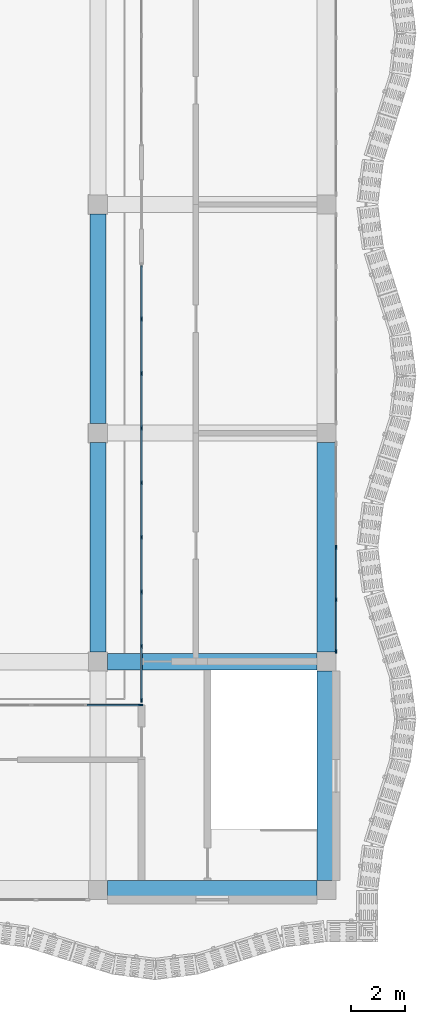
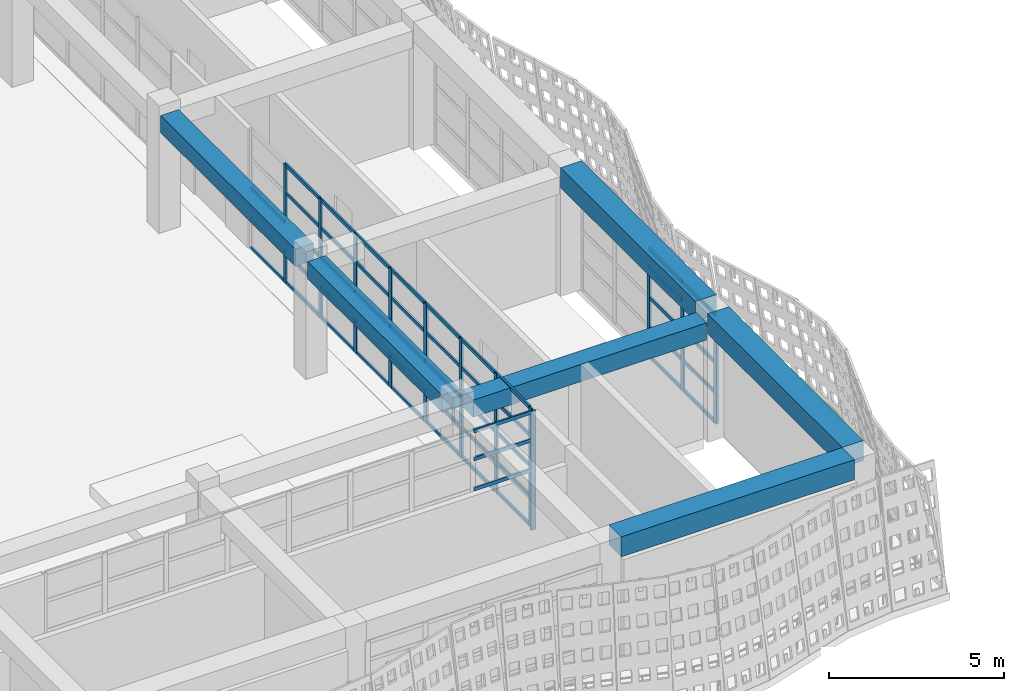
# One storey, part 7 of 85: 63 members, 6 beams, 3 elements without a shape of their own.
"""IFC4 building model written with IfcOpenShell, lengths in metres."""

from ifc_helpers import new_model, si_unit, direction, frame, origin, origin_2d, place, context, subcontext, project, spatial, rectangle, extrude, material, material_profile, profile_set, type_object, element, aggregate, save


model = new_model("IFC4")

# Units and contexts
model_context = context("Model", 3, precision=1e-05, world=origin(), true_north=direction((0.0, 1.0)))
body_context = subcontext(model_context, "Body", "Model", "MODEL_VIEW")
ifc_project = project(units=[si_unit("LENGTHUNIT", "METRE"), si_unit("AREAUNIT", "SQUARE_METRE"), si_unit("VOLUMEUNIT", "CUBIC_METRE"), si_unit("PLANEANGLEUNIT", "RADIAN"), si_unit("MASSUNIT", "GRAM", prefix="KILO")], contexts=[model_context])

# Site, building, storey
site_placement = place(None, origin())
site = spatial("IfcSite", under=ifc_project, at=site_placement, CompositionType="ELEMENT")
building_placement = place(site_placement, origin())
building = spatial("IfcBuilding", under=site, at=building_placement, Name="Rain Tree Exposition and Congress Centre", CompositionType="ELEMENT")
storey_placement = place(building_placement, frame((0.0, 0.0, 15.0)))
storey = spatial("IfcBuildingStorey", under=building, at=storey_placement, Name="L03", CompositionType="ELEMENT", Elevation=15.0)

# Beams
ifc_material_1 = material(Name="Precast concrete C50/60", Category="concrete")
ifc_material_profile_1 = material_profile(ifc_material_1, rectangle(XDim=0.60009765625, YDim=0.60009765625, at=origin_2d()), Name="RC 600x600")
ifc_profile_set_1 = profile_set([ifc_material_profile_1], Name="Precast concrete C50/60")
beam_type_1 = type_object("IfcBeamType", Name="Precast beam 600x600", PredefinedType="BEAM", material=ifc_profile_set_1)
for number, where, z_axis, x_axis, name in (
    (1, (42.35009765625, 8.39990234375, 3.85009765625), (1.0, 0.0, 0.0), (0.0, 1.0, 0.0), "wing/beam/L03/RF/023"),
    (2, (42.0, 8.75, 3.85009765625), (0.0, 1.0, 0.0), (-1.0, 0.0, 0.0), "wing/beam/L03/RF/052"),
):
    element("IfcBeam", number, at=place(storey_placement, frame(where, z_axis=z_axis, x_axis=x_axis)), inside=storey, type_object=beam_type_1, Name=name, PredefinedType="BEAM", context=body_context, shape_type="SweptSolid", body=[
        extrude(rectangle(XDim=0.60009765625, YDim=0.60009765625, at=origin_2d()), origin(), (0.0, 0.0, 1.0), 7.699951171875),
    ])
beam_placement = place(storey_placement, frame((42.0, 17.14990234375, 3.85009765625), z_axis=(0.0, 1.0, 0.0), x_axis=(-1.0, 0.0, 0.0)))
element("IfcBeam", 3, at=beam_placement, inside=storey, type_object=beam_type_1, Name="wing/beam/L03/RF/054", PredefinedType="BEAM", context=body_context, shape_type="SweptSolid", body=[
    extrude(rectangle(XDim=0.60009765625, YDim=0.60009765625, at=origin_2d()), origin(), (0.0, 0.0, 1.0), 7.7001953125),
])
ifc_material_2 = material(Name="Precast concrete C50/60", Category="concrete")
ifc_material_profile_2 = material_profile(ifc_material_2, rectangle(XDim=0.699951171875, YDim=0.699951171875, at=origin_2d()), Name="RC 700x700")
ifc_profile_set_2 = profile_set([ifc_material_profile_2], Name="Precast concrete C50/60")
beam_type_2 = type_object("IfcBeamType", Name="Precast spandrel beam 700x700", PredefinedType="SPANDREL", material=ifc_profile_set_2)
for number, where, z_axis, x_axis, name in (
    (4, (42.35009765625, 0.0, 4.14990234375), (1.0, 0.0, 0.0), (0.0, 1.0, 0.0), "wing/beam/L03/RF/011"),
    (5, (50.39990234375, 0.35009765625, 4.14990234375), (0.0, 1.0, 0.0), (-1.0, 0.0, 0.0), "wing/beam/L03/RF/062"),
    (6, (50.39990234375, 8.75, 4.14990234375), (0.0, 1.0, 0.0), (-1.0, 0.0, 0.0), "wing/beam/L03/RF/064"),
):
    element("IfcBeam", number, at=place(storey_placement, frame(where, z_axis=z_axis, x_axis=x_axis)), inside=storey, type_object=beam_type_2, Name=name, PredefinedType="SPANDREL", context=body_context, shape_type="SweptSolid", body=[
        extrude(rectangle(XDim=0.699951171875, YDim=0.699951171875, at=origin_2d()), origin(), (0.0, 0.0, 1.0), 7.699951171875),
    ])

# Curtain wall, members
ifc_material_3 = material(Name="Aluminium curtain wall", Category="aluminium")
curtain_wall_type = type_object("IfcCurtainWallType", Name="Wing curtain wall 1925", PredefinedType="NOTDEFINED", material=ifc_material_3)
curtain_wall_1_placement = place(storey_placement, origin())
curtain_wall_1 = element("IfcCurtainWall", 7, at=curtain_wall_1_placement, inside=storey, type_object=curtain_wall_type, Name="Curtain wall CWW412", PredefinedType="NOTDEFINED")
ifc_material_4 = material(Name="Aluminium", Category="aluminium")
ifc_material_profile_3 = material_profile(ifc_material_4, rectangle(XDim=0.06005859375, YDim=0.159912109375, at=origin_2d()), Name="Aluminium 60x160")
ifc_profile_set_3 = profile_set([ifc_material_profile_3], Name="Aluminium")
member_type_1 = type_object("IfcMemberType", Name="Wing mullion 60x160", PredefinedType="MULLION", material=ifc_profile_set_3)
member_1_placement = place(storey_placement, frame((50.75, 8.780029296875, 0.0), z_axis=(0.0, 0.0, 1.0), x_axis=(-1.0, 0.0, 0.0)))
member_1 = element("IfcMember", 8, at=member_1_placement, type_object=member_type_1, Name="CWW412 mullion 1", PredefinedType="MULLION", context=body_context, shape_type="SweptSolid", body=[
    extrude(rectangle(XDim=0.06005859375, YDim=0.159912109375, at=origin_2d()), origin(), (0.0, 0.0, 1.0), 3.800048828125),
])
member_2_placement = place(storey_placement, frame((50.75, 10.675048828125, 0.0), z_axis=(0.0, 0.0, 1.0), x_axis=(-1.0, 0.0, 0.0)))
member_2 = element("IfcMember", 9, at=member_2_placement, type_object=member_type_1, Name="CWW412 mullion 2", PredefinedType="MULLION", context=body_context, shape_type="SweptSolid", body=[
    extrude(rectangle(XDim=0.06005859375, YDim=0.159912109375, at=origin_2d()), origin(), (0.0, 0.0, 1.0), 3.800048828125),
])
member_3_placement = place(storey_placement, frame((50.75, 12.60009765625, 0.0), z_axis=(0.0, 0.0, 1.0), x_axis=(-1.0, 0.0, 0.0)))
member_3 = element("IfcMember", 10, at=member_3_placement, type_object=member_type_1, Name="CWW412 mullion 3", PredefinedType="MULLION", context=body_context, shape_type="SweptSolid", body=[
    extrude(rectangle(XDim=0.06005859375, YDim=0.159912109375, at=origin_2d()), origin(), (0.0, 0.0, 1.0), 3.800048828125),
])

# Curtain wall, member
curtain_wall_2_placement = place(storey_placement, origin())
curtain_wall_2 = element("IfcCurtainWall", 11, at=curtain_wall_2_placement, inside=storey, type_object=curtain_wall_type, Name="Curtain wall CWW502", PredefinedType="NOTDEFINED")
member_4_placement = place(storey_placement, frame((43.570068359375, 6.800048828125, 0.0), z_axis=(0.0, 0.0, 1.0), x_axis=(0.0, 1.0, 0.0)))
member_4 = element("IfcMember", 12, at=member_4_placement, type_object=member_type_1, Name="CWW502 mullion 9", PredefinedType="MULLION", context=body_context, shape_type="SweptSolid", body=[
    extrude(rectangle(XDim=0.06005859375, YDim=0.159912109375, at=origin_2d()), origin(), (0.0, 0.0, 1.0), 4.14990234375),
])

# Curtain wall, members
curtain_wall_3_placement = place(storey_placement, origin())
curtain_wall_3 = element("IfcCurtainWall", 13, at=curtain_wall_3_placement, inside=storey, type_object=curtain_wall_type, Name="Curtain wall CWW507", PredefinedType="NOTDEFINED")
member_5_placement = place(storey_placement, frame((43.60009765625, 6.97998046875, 0.0), z_axis=(0.0, 0.0, 1.0), x_axis=(-1.0, 0.0, 0.0)))
member_5 = element("IfcMember", 14, at=member_5_placement, type_object=member_type_1, Name="CWW507 mullion 1", PredefinedType="MULLION", context=body_context, shape_type="SweptSolid", body=[
    extrude(rectangle(XDim=0.06005859375, YDim=0.159912109375, at=origin_2d()), origin(), (0.0, 0.0, 1.0), 4.14990234375),
])
member_6_placement = place(storey_placement, frame((43.60009765625, 8.956298828125, 0.0), z_axis=(0.0, 0.0, 1.0), x_axis=(-1.0, 0.0, 0.0)))
member_6 = element("IfcMember", 15, at=member_6_placement, type_object=member_type_1, Name="CWW507 mullion 2", PredefinedType="MULLION", context=body_context, shape_type="SweptSolid", body=[
    extrude(rectangle(XDim=0.06005859375, YDim=0.159912109375, at=origin_2d()), origin(), (0.0, 0.0, 1.0), 4.14990234375),
])
member_7_placement = place(storey_placement, frame((43.60009765625, 10.96240234375, 0.0), z_axis=(0.0, 0.0, 1.0), x_axis=(-1.0, 0.0, 0.0)))
member_7 = element("IfcMember", 16, at=member_7_placement, type_object=member_type_1, Name="CWW507 mullion 3", PredefinedType="MULLION", context=body_context, shape_type="SweptSolid", body=[
    extrude(rectangle(XDim=0.06005859375, YDim=0.159912109375, at=origin_2d()), origin(), (0.0, 0.0, 1.0), 4.14990234375),
])
member_8_placement = place(storey_placement, frame((43.60009765625, 12.96875, 0.0), z_axis=(0.0, 0.0, 1.0), x_axis=(-1.0, 0.0, 0.0)))
member_8 = element("IfcMember", 17, at=member_8_placement, type_object=member_type_1, Name="CWW507 mullion 4", PredefinedType="MULLION", context=body_context, shape_type="SweptSolid", body=[
    extrude(rectangle(XDim=0.06005859375, YDim=0.159912109375, at=origin_2d()), origin(), (0.0, 0.0, 1.0), 4.14990234375),
])
member_9_placement = place(storey_placement, frame((43.60009765625, 14.97509765625, 0.0), z_axis=(0.0, 0.0, 1.0), x_axis=(-1.0, 0.0, 0.0)))
member_9 = element("IfcMember", 18, at=member_9_placement, type_object=member_type_1, Name="CWW507 mullion 5", PredefinedType="MULLION", context=body_context, shape_type="SweptSolid", body=[
    extrude(rectangle(XDim=0.06005859375, YDim=0.159912109375, at=origin_2d()), origin(), (0.0, 0.0, 1.0), 4.14990234375),
])
member_10_placement = place(storey_placement, frame((43.60009765625, 16.981201171875, 0.0), z_axis=(0.0, 0.0, 1.0), x_axis=(-1.0, 0.0, 0.0)))
member_10 = element("IfcMember", 19, at=member_10_placement, type_object=member_type_1, Name="CWW507 mullion 6", PredefinedType="MULLION", context=body_context, shape_type="SweptSolid", body=[
    extrude(rectangle(XDim=0.06005859375, YDim=0.159912109375, at=origin_2d()), origin(), (0.0, 0.0, 1.0), 4.14990234375),
])
member_11_placement = place(storey_placement, frame((43.60009765625, 18.987548828125, 0.0), z_axis=(0.0, 0.0, 1.0), x_axis=(-1.0, 0.0, 0.0)))
member_11 = element("IfcMember", 20, at=member_11_placement, type_object=member_type_1, Name="CWW507 mullion 7", PredefinedType="MULLION", context=body_context, shape_type="SweptSolid", body=[
    extrude(rectangle(XDim=0.06005859375, YDim=0.159912109375, at=origin_2d()), origin(), (0.0, 0.0, 1.0), 4.14990234375),
])
member_12_placement = place(storey_placement, frame((43.60009765625, 20.99365234375, 0.0), z_axis=(0.0, 0.0, 1.0), x_axis=(-1.0, 0.0, 0.0)))
member_12 = element("IfcMember", 21, at=member_12_placement, type_object=member_type_1, Name="CWW507 mullion 8", PredefinedType="MULLION", context=body_context, shape_type="SweptSolid", body=[
    extrude(rectangle(XDim=0.06005859375, YDim=0.159912109375, at=origin_2d()), origin(), (0.0, 0.0, 1.0), 4.14990234375),
])

# Member
ifc_material_5 = material(Name="Aluminium", Category="aluminium")
ifc_material_profile_4 = material_profile(ifc_material_5, rectangle(XDim=0.06005859375, YDim=0.1201171875, at=origin_2d()), Name="Aluminium 60x120")
ifc_profile_set_4 = profile_set([ifc_material_profile_4], Name="Aluminium")
member_type_2 = type_object("IfcMemberType", Name="Wing transom 60x120", PredefinedType="USERDEFINED", material=ifc_profile_set_4)
member_13_placement = place(storey_placement, frame((50.75, 8.81005859375, 0.030029296875), z_axis=(0.0, 1.0, 0.0), x_axis=(-1.0, 0.0, 0.0)))
member_13 = element("IfcMember", 22, at=member_13_placement, type_object=member_type_2, Name="CWW412 transom 1.1", ObjectType="TRANSOM", PredefinedType="USERDEFINED", context=body_context, shape_type="SweptSolid", body=[
    extrude(rectangle(XDim=0.06005859375, YDim=0.1201171875, at=origin_2d()), origin(), (0.0, 0.0, 1.0), 1.8349609375),
])

member_14_placement = place(storey_placement, frame((50.75, 8.81005859375, 1.050048828125), z_axis=(0.0, 1.0, 0.0), x_axis=(-1.0, 0.0, 0.0)))
member_14 = element("IfcMember", 23, at=member_14_placement, type_object=member_type_2, Name="CWW412 transom 1.2", ObjectType="TRANSOM", PredefinedType="USERDEFINED", context=body_context, shape_type="SweptSolid", body=[
    extrude(rectangle(XDim=0.06005859375, YDim=0.1201171875, at=origin_2d()), origin(), (0.0, 0.0, 1.0), 1.8349609375),
])

member_15_placement = place(storey_placement, frame((50.75, 8.81005859375, 2.10009765625), z_axis=(0.0, 1.0, 0.0), x_axis=(-1.0, 0.0, 0.0)))
member_15 = element("IfcMember", 24, at=member_15_placement, type_object=member_type_2, Name="CWW412 transom 1.3", ObjectType="TRANSOM", PredefinedType="USERDEFINED", context=body_context, shape_type="SweptSolid", body=[
    extrude(rectangle(XDim=0.06005859375, YDim=0.1201171875, at=origin_2d()), origin(), (0.0, 0.0, 1.0), 1.8349609375),
])

member_16_placement = place(storey_placement, frame((50.75, 8.81005859375, 3.14990234375), z_axis=(0.0, 1.0, 0.0), x_axis=(-1.0, 0.0, 0.0)))
member_16 = element("IfcMember", 25, at=member_16_placement, type_object=member_type_2, Name="CWW412 transom 1.4", ObjectType="TRANSOM", PredefinedType="USERDEFINED", context=body_context, shape_type="SweptSolid", body=[
    extrude(rectangle(XDim=0.06005859375, YDim=0.1201171875, at=origin_2d()), origin(), (0.0, 0.0, 1.0), 1.8349609375),
])

member_17_placement = place(storey_placement, frame((50.75, 8.81005859375, 3.77001953125), z_axis=(0.0, 1.0, 0.0), x_axis=(-1.0, 0.0, 0.0)))
member_17 = element("IfcMember", 26, at=member_17_placement, type_object=member_type_2, Name="CWW412 transom 1.5", ObjectType="TRANSOM", PredefinedType="USERDEFINED", context=body_context, shape_type="SweptSolid", body=[
    extrude(rectangle(XDim=0.06005859375, YDim=0.1201171875, at=origin_2d()), origin(), (0.0, 0.0, 1.0), 1.8349609375),
])

member_18_placement = place(storey_placement, frame((50.75, 10.705078125, 0.030029296875), z_axis=(0.0, 1.0, 0.0), x_axis=(-1.0, 0.0, 0.0)))
member_18 = element("IfcMember", 27, at=member_18_placement, type_object=member_type_2, Name="CWW412 transom 2.1", ObjectType="TRANSOM", PredefinedType="USERDEFINED", context=body_context, shape_type="SweptSolid", body=[
    extrude(rectangle(XDim=0.06005859375, YDim=0.1201171875, at=origin_2d()), origin(), (0.0, 0.0, 1.0), 1.864990234375),
])

member_19_placement = place(storey_placement, frame((50.75, 10.705078125, 1.050048828125), z_axis=(0.0, 1.0, 0.0), x_axis=(-1.0, 0.0, 0.0)))
member_19 = element("IfcMember", 28, at=member_19_placement, type_object=member_type_2, Name="CWW412 transom 2.2", ObjectType="TRANSOM", PredefinedType="USERDEFINED", context=body_context, shape_type="SweptSolid", body=[
    extrude(rectangle(XDim=0.06005859375, YDim=0.1201171875, at=origin_2d()), origin(), (0.0, 0.0, 1.0), 1.864990234375),
])

member_20_placement = place(storey_placement, frame((50.75, 10.705078125, 2.10009765625), z_axis=(0.0, 1.0, 0.0), x_axis=(-1.0, 0.0, 0.0)))
member_20 = element("IfcMember", 29, at=member_20_placement, type_object=member_type_2, Name="CWW412 transom 2.3", ObjectType="TRANSOM", PredefinedType="USERDEFINED", context=body_context, shape_type="SweptSolid", body=[
    extrude(rectangle(XDim=0.06005859375, YDim=0.1201171875, at=origin_2d()), origin(), (0.0, 0.0, 1.0), 1.864990234375),
])

member_21_placement = place(storey_placement, frame((50.75, 10.705078125, 3.14990234375), z_axis=(0.0, 1.0, 0.0), x_axis=(-1.0, 0.0, 0.0)))
member_21 = element("IfcMember", 30, at=member_21_placement, type_object=member_type_2, Name="CWW412 transom 2.4", ObjectType="TRANSOM", PredefinedType="USERDEFINED", context=body_context, shape_type="SweptSolid", body=[
    extrude(rectangle(XDim=0.06005859375, YDim=0.1201171875, at=origin_2d()), origin(), (0.0, 0.0, 1.0), 1.864990234375),
])

member_22_placement = place(storey_placement, frame((50.75, 10.705078125, 3.77001953125), z_axis=(0.0, 1.0, 0.0), x_axis=(-1.0, 0.0, 0.0)))
member_22 = element("IfcMember", 31, at=member_22_placement, type_object=member_type_2, Name="CWW412 transom 2.5", ObjectType="TRANSOM", PredefinedType="USERDEFINED", context=body_context, shape_type="SweptSolid", body=[
    extrude(rectangle(XDim=0.06005859375, YDim=0.1201171875, at=origin_2d()), origin(), (0.0, 0.0, 1.0), 1.864990234375),
])

aggregate(curtain_wall_1, [member_1, member_2, member_3, member_13, member_14, member_15, member_16, member_17, member_18, member_19, member_20, member_21, member_22])

member_23_placement = place(storey_placement, frame((41.60498046875, 6.800048828125, 2.10009765625), z_axis=(1.0, 0.0, 0.0), x_axis=(0.0, 1.0, 0.0)))
member_23 = element("IfcMember", 32, at=member_23_placement, type_object=member_type_2, Name="CWW502 transom 8.3", ObjectType="TRANSOM", PredefinedType="USERDEFINED", context=body_context, shape_type="SweptSolid", body=[
    extrude(rectangle(XDim=0.06005859375, YDim=0.1201171875, at=origin_2d()), origin(), (0.0, 0.0, 1.0), 1.93505859375),
])

member_24_placement = place(storey_placement, frame((41.60498046875, 6.800048828125, 3.14990234375), z_axis=(1.0, 0.0, 0.0), x_axis=(0.0, 1.0, 0.0)))
member_24 = element("IfcMember", 33, at=member_24_placement, type_object=member_type_2, Name="CWW502 transom 8.4", ObjectType="TRANSOM", PredefinedType="USERDEFINED", context=body_context, shape_type="SweptSolid", body=[
    extrude(rectangle(XDim=0.06005859375, YDim=0.1201171875, at=origin_2d()), origin(), (0.0, 0.0, 1.0), 1.93505859375),
])

member_25_placement = place(storey_placement, frame((41.60498046875, 6.800048828125, 4.1201171875), z_axis=(1.0, 0.0, 0.0), x_axis=(0.0, 1.0, 0.0)))
member_25 = element("IfcMember", 34, at=member_25_placement, type_object=member_type_2, Name="CWW502 transom 8.5", ObjectType="TRANSOM", PredefinedType="USERDEFINED", context=body_context, shape_type="SweptSolid", body=[
    extrude(rectangle(XDim=0.06005859375, YDim=0.1201171875, at=origin_2d()), origin(), (0.0, 0.0, 1.0), 1.93505859375),
])

aggregate(curtain_wall_2, [member_4, member_23, member_24, member_25])

member_26_placement = place(storey_placement, frame((43.60009765625, 7.010009765625, 0.030029296875), z_axis=(0.0, 1.0, 0.0), x_axis=(-1.0, 0.0, 0.0)))
member_26 = element("IfcMember", 35, at=member_26_placement, type_object=member_type_2, Name="CWW507 transom 1.1", ObjectType="TRANSOM", PredefinedType="USERDEFINED", context=body_context, shape_type="SweptSolid", body=[
    extrude(rectangle(XDim=0.06005859375, YDim=0.1201171875, at=origin_2d()), origin(), (0.0, 0.0, 1.0), 1.916259765625),
])

member_27_placement = place(storey_placement, frame((43.60009765625, 7.010009765625, 1.050048828125), z_axis=(0.0, 1.0, 0.0), x_axis=(-1.0, 0.0, 0.0)))
member_27 = element("IfcMember", 36, at=member_27_placement, type_object=member_type_2, Name="CWW507 transom 1.2", ObjectType="TRANSOM", PredefinedType="USERDEFINED", context=body_context, shape_type="SweptSolid", body=[
    extrude(rectangle(XDim=0.06005859375, YDim=0.1201171875, at=origin_2d()), origin(), (0.0, 0.0, 1.0), 1.916259765625),
])

member_28_placement = place(storey_placement, frame((43.60009765625, 7.010009765625, 2.10009765625), z_axis=(0.0, 1.0, 0.0), x_axis=(-1.0, 0.0, 0.0)))
member_28 = element("IfcMember", 37, at=member_28_placement, type_object=member_type_2, Name="CWW507 transom 1.3", ObjectType="TRANSOM", PredefinedType="USERDEFINED", context=body_context, shape_type="SweptSolid", body=[
    extrude(rectangle(XDim=0.06005859375, YDim=0.1201171875, at=origin_2d()), origin(), (0.0, 0.0, 1.0), 1.916259765625),
])

member_29_placement = place(storey_placement, frame((43.60009765625, 7.010009765625, 3.14990234375), z_axis=(0.0, 1.0, 0.0), x_axis=(-1.0, 0.0, 0.0)))
member_29 = element("IfcMember", 38, at=member_29_placement, type_object=member_type_2, Name="CWW507 transom 1.4", ObjectType="TRANSOM", PredefinedType="USERDEFINED", context=body_context, shape_type="SweptSolid", body=[
    extrude(rectangle(XDim=0.06005859375, YDim=0.1201171875, at=origin_2d()), origin(), (0.0, 0.0, 1.0), 1.916259765625),
])

member_30_placement = place(storey_placement, frame((43.60009765625, 7.010009765625, 4.1201171875), z_axis=(0.0, 1.0, 0.0), x_axis=(-1.0, 0.0, 0.0)))
member_30 = element("IfcMember", 39, at=member_30_placement, type_object=member_type_2, Name="CWW507 transom 1.5", ObjectType="TRANSOM", PredefinedType="USERDEFINED", context=body_context, shape_type="SweptSolid", body=[
    extrude(rectangle(XDim=0.06005859375, YDim=0.1201171875, at=origin_2d()), origin(), (0.0, 0.0, 1.0), 1.916259765625),
])

member_31_placement = place(storey_placement, frame((43.60009765625, 8.986328125, 0.030029296875), z_axis=(0.0, 1.0, 0.0), x_axis=(-1.0, 0.0, 0.0)))
member_31 = element("IfcMember", 40, at=member_31_placement, type_object=member_type_2, Name="CWW507 transom 2.1", ObjectType="TRANSOM", PredefinedType="USERDEFINED", context=body_context, shape_type="SweptSolid", body=[
    extrude(rectangle(XDim=0.06005859375, YDim=0.1201171875, at=origin_2d()), origin(), (0.0, 0.0, 1.0), 1.9462890625),
])

member_32_placement = place(storey_placement, frame((43.60009765625, 8.986328125, 1.050048828125), z_axis=(0.0, 1.0, 0.0), x_axis=(-1.0, 0.0, 0.0)))
member_32 = element("IfcMember", 41, at=member_32_placement, type_object=member_type_2, Name="CWW507 transom 2.2", ObjectType="TRANSOM", PredefinedType="USERDEFINED", context=body_context, shape_type="SweptSolid", body=[
    extrude(rectangle(XDim=0.06005859375, YDim=0.1201171875, at=origin_2d()), origin(), (0.0, 0.0, 1.0), 1.9462890625),
])

member_33_placement = place(storey_placement, frame((43.60009765625, 8.986328125, 2.10009765625), z_axis=(0.0, 1.0, 0.0), x_axis=(-1.0, 0.0, 0.0)))
member_33 = element("IfcMember", 42, at=member_33_placement, type_object=member_type_2, Name="CWW507 transom 2.3", ObjectType="TRANSOM", PredefinedType="USERDEFINED", context=body_context, shape_type="SweptSolid", body=[
    extrude(rectangle(XDim=0.06005859375, YDim=0.1201171875, at=origin_2d()), origin(), (0.0, 0.0, 1.0), 1.9462890625),
])

member_34_placement = place(storey_placement, frame((43.60009765625, 8.986328125, 3.14990234375), z_axis=(0.0, 1.0, 0.0), x_axis=(-1.0, 0.0, 0.0)))
member_34 = element("IfcMember", 43, at=member_34_placement, type_object=member_type_2, Name="CWW507 transom 2.4", ObjectType="TRANSOM", PredefinedType="USERDEFINED", context=body_context, shape_type="SweptSolid", body=[
    extrude(rectangle(XDim=0.06005859375, YDim=0.1201171875, at=origin_2d()), origin(), (0.0, 0.0, 1.0), 1.9462890625),
])

member_35_placement = place(storey_placement, frame((43.60009765625, 8.986328125, 4.1201171875), z_axis=(0.0, 1.0, 0.0), x_axis=(-1.0, 0.0, 0.0)))
member_35 = element("IfcMember", 44, at=member_35_placement, type_object=member_type_2, Name="CWW507 transom 2.5", ObjectType="TRANSOM", PredefinedType="USERDEFINED", context=body_context, shape_type="SweptSolid", body=[
    extrude(rectangle(XDim=0.06005859375, YDim=0.1201171875, at=origin_2d()), origin(), (0.0, 0.0, 1.0), 1.9462890625),
])

member_36_placement = place(storey_placement, frame((43.60009765625, 10.992431640625, 0.030029296875), z_axis=(0.0, 1.0, 0.0), x_axis=(-1.0, 0.0, 0.0)))
member_36 = element("IfcMember", 45, at=member_36_placement, type_object=member_type_2, Name="CWW507 transom 3.1", ObjectType="TRANSOM", PredefinedType="USERDEFINED", context=body_context, shape_type="SweptSolid", body=[
    extrude(rectangle(XDim=0.06005859375, YDim=0.1201171875, at=origin_2d()), origin(), (0.0, 0.0, 1.0), 1.9462890625),
])

member_37_placement = place(storey_placement, frame((43.60009765625, 10.992431640625, 1.050048828125), z_axis=(0.0, 1.0, 0.0), x_axis=(-1.0, 0.0, 0.0)))
member_37 = element("IfcMember", 46, at=member_37_placement, type_object=member_type_2, Name="CWW507 transom 3.2", ObjectType="TRANSOM", PredefinedType="USERDEFINED", context=body_context, shape_type="SweptSolid", body=[
    extrude(rectangle(XDim=0.06005859375, YDim=0.1201171875, at=origin_2d()), origin(), (0.0, 0.0, 1.0), 1.9462890625),
])

member_38_placement = place(storey_placement, frame((43.60009765625, 10.992431640625, 2.10009765625), z_axis=(0.0, 1.0, 0.0), x_axis=(-1.0, 0.0, 0.0)))
member_38 = element("IfcMember", 47, at=member_38_placement, type_object=member_type_2, Name="CWW507 transom 3.3", ObjectType="TRANSOM", PredefinedType="USERDEFINED", context=body_context, shape_type="SweptSolid", body=[
    extrude(rectangle(XDim=0.06005859375, YDim=0.1201171875, at=origin_2d()), origin(), (0.0, 0.0, 1.0), 1.9462890625),
])

member_39_placement = place(storey_placement, frame((43.60009765625, 10.992431640625, 3.14990234375), z_axis=(0.0, 1.0, 0.0), x_axis=(-1.0, 0.0, 0.0)))
member_39 = element("IfcMember", 48, at=member_39_placement, type_object=member_type_2, Name="CWW507 transom 3.4", ObjectType="TRANSOM", PredefinedType="USERDEFINED", context=body_context, shape_type="SweptSolid", body=[
    extrude(rectangle(XDim=0.06005859375, YDim=0.1201171875, at=origin_2d()), origin(), (0.0, 0.0, 1.0), 1.9462890625),
])

member_40_placement = place(storey_placement, frame((43.60009765625, 10.992431640625, 4.1201171875), z_axis=(0.0, 1.0, 0.0), x_axis=(-1.0, 0.0, 0.0)))
member_40 = element("IfcMember", 49, at=member_40_placement, type_object=member_type_2, Name="CWW507 transom 3.5", ObjectType="TRANSOM", PredefinedType="USERDEFINED", context=body_context, shape_type="SweptSolid", body=[
    extrude(rectangle(XDim=0.06005859375, YDim=0.1201171875, at=origin_2d()), origin(), (0.0, 0.0, 1.0), 1.9462890625),
])

member_41_placement = place(storey_placement, frame((43.60009765625, 12.998779296875, 0.030029296875), z_axis=(0.0, 1.0, 0.0), x_axis=(-1.0, 0.0, 0.0)))
member_41 = element("IfcMember", 50, at=member_41_placement, type_object=member_type_2, Name="CWW507 transom 4.1", ObjectType="TRANSOM", PredefinedType="USERDEFINED", context=body_context, shape_type="SweptSolid", body=[
    extrude(rectangle(XDim=0.06005859375, YDim=0.1201171875, at=origin_2d()), origin(), (0.0, 0.0, 1.0), 1.9462890625),
])

member_42_placement = place(storey_placement, frame((43.60009765625, 12.998779296875, 1.050048828125), z_axis=(0.0, 1.0, 0.0), x_axis=(-1.0, 0.0, 0.0)))
member_42 = element("IfcMember", 51, at=member_42_placement, type_object=member_type_2, Name="CWW507 transom 4.2", ObjectType="TRANSOM", PredefinedType="USERDEFINED", context=body_context, shape_type="SweptSolid", body=[
    extrude(rectangle(XDim=0.06005859375, YDim=0.1201171875, at=origin_2d()), origin(), (0.0, 0.0, 1.0), 1.9462890625),
])

member_43_placement = place(storey_placement, frame((43.60009765625, 12.998779296875, 2.10009765625), z_axis=(0.0, 1.0, 0.0), x_axis=(-1.0, 0.0, 0.0)))
member_43 = element("IfcMember", 52, at=member_43_placement, type_object=member_type_2, Name="CWW507 transom 4.3", ObjectType="TRANSOM", PredefinedType="USERDEFINED", context=body_context, shape_type="SweptSolid", body=[
    extrude(rectangle(XDim=0.06005859375, YDim=0.1201171875, at=origin_2d()), origin(), (0.0, 0.0, 1.0), 1.9462890625),
])

member_44_placement = place(storey_placement, frame((43.60009765625, 12.998779296875, 3.14990234375), z_axis=(0.0, 1.0, 0.0), x_axis=(-1.0, 0.0, 0.0)))
member_44 = element("IfcMember", 53, at=member_44_placement, type_object=member_type_2, Name="CWW507 transom 4.4", ObjectType="TRANSOM", PredefinedType="USERDEFINED", context=body_context, shape_type="SweptSolid", body=[
    extrude(rectangle(XDim=0.06005859375, YDim=0.1201171875, at=origin_2d()), origin(), (0.0, 0.0, 1.0), 1.9462890625),
])

member_45_placement = place(storey_placement, frame((43.60009765625, 12.998779296875, 4.1201171875), z_axis=(0.0, 1.0, 0.0), x_axis=(-1.0, 0.0, 0.0)))
member_45 = element("IfcMember", 54, at=member_45_placement, type_object=member_type_2, Name="CWW507 transom 4.5", ObjectType="TRANSOM", PredefinedType="USERDEFINED", context=body_context, shape_type="SweptSolid", body=[
    extrude(rectangle(XDim=0.06005859375, YDim=0.1201171875, at=origin_2d()), origin(), (0.0, 0.0, 1.0), 1.9462890625),
])

member_46_placement = place(storey_placement, frame((43.60009765625, 15.0048828125, 0.030029296875), z_axis=(0.0, 1.0, 0.0), x_axis=(-1.0, 0.0, 0.0)))
member_46 = element("IfcMember", 55, at=member_46_placement, type_object=member_type_2, Name="CWW507 transom 5.1", ObjectType="TRANSOM", PredefinedType="USERDEFINED", context=body_context, shape_type="SweptSolid", body=[
    extrude(rectangle(XDim=0.06005859375, YDim=0.1201171875, at=origin_2d()), origin(), (0.0, 0.0, 1.0), 1.9462890625),
])

member_47_placement = place(storey_placement, frame((43.60009765625, 15.0048828125, 1.050048828125), z_axis=(0.0, 1.0, 0.0), x_axis=(-1.0, 0.0, 0.0)))
member_47 = element("IfcMember", 56, at=member_47_placement, type_object=member_type_2, Name="CWW507 transom 5.2", ObjectType="TRANSOM", PredefinedType="USERDEFINED", context=body_context, shape_type="SweptSolid", body=[
    extrude(rectangle(XDim=0.06005859375, YDim=0.1201171875, at=origin_2d()), origin(), (0.0, 0.0, 1.0), 1.9462890625),
])

member_48_placement = place(storey_placement, frame((43.60009765625, 15.0048828125, 2.10009765625), z_axis=(0.0, 1.0, 0.0), x_axis=(-1.0, 0.0, 0.0)))
member_48 = element("IfcMember", 57, at=member_48_placement, type_object=member_type_2, Name="CWW507 transom 5.3", ObjectType="TRANSOM", PredefinedType="USERDEFINED", context=body_context, shape_type="SweptSolid", body=[
    extrude(rectangle(XDim=0.06005859375, YDim=0.1201171875, at=origin_2d()), origin(), (0.0, 0.0, 1.0), 1.9462890625),
])

member_49_placement = place(storey_placement, frame((43.60009765625, 15.0048828125, 3.14990234375), z_axis=(0.0, 1.0, 0.0), x_axis=(-1.0, 0.0, 0.0)))
member_49 = element("IfcMember", 58, at=member_49_placement, type_object=member_type_2, Name="CWW507 transom 5.4", ObjectType="TRANSOM", PredefinedType="USERDEFINED", context=body_context, shape_type="SweptSolid", body=[
    extrude(rectangle(XDim=0.06005859375, YDim=0.1201171875, at=origin_2d()), origin(), (0.0, 0.0, 1.0), 1.9462890625),
])

member_50_placement = place(storey_placement, frame((43.60009765625, 15.0048828125, 4.1201171875), z_axis=(0.0, 1.0, 0.0), x_axis=(-1.0, 0.0, 0.0)))
member_50 = element("IfcMember", 59, at=member_50_placement, type_object=member_type_2, Name="CWW507 transom 5.5", ObjectType="TRANSOM", PredefinedType="USERDEFINED", context=body_context, shape_type="SweptSolid", body=[
    extrude(rectangle(XDim=0.06005859375, YDim=0.1201171875, at=origin_2d()), origin(), (0.0, 0.0, 1.0), 1.9462890625),
])

member_51_placement = place(storey_placement, frame((43.60009765625, 17.01123046875, 0.030029296875), z_axis=(0.0, 1.0, 0.0), x_axis=(-1.0, 0.0, 0.0)))
member_51 = element("IfcMember", 60, at=member_51_placement, type_object=member_type_2, Name="CWW507 transom 6.1", ObjectType="TRANSOM", PredefinedType="USERDEFINED", context=body_context, shape_type="SweptSolid", body=[
    extrude(rectangle(XDim=0.06005859375, YDim=0.1201171875, at=origin_2d()), origin(), (0.0, 0.0, 1.0), 1.9462890625),
])

member_52_placement = place(storey_placement, frame((43.60009765625, 17.01123046875, 1.050048828125), z_axis=(0.0, 1.0, 0.0), x_axis=(-1.0, 0.0, 0.0)))
member_52 = element("IfcMember", 61, at=member_52_placement, type_object=member_type_2, Name="CWW507 transom 6.2", ObjectType="TRANSOM", PredefinedType="USERDEFINED", context=body_context, shape_type="SweptSolid", body=[
    extrude(rectangle(XDim=0.06005859375, YDim=0.1201171875, at=origin_2d()), origin(), (0.0, 0.0, 1.0), 1.9462890625),
])

member_53_placement = place(storey_placement, frame((43.60009765625, 17.01123046875, 2.10009765625), z_axis=(0.0, 1.0, 0.0), x_axis=(-1.0, 0.0, 0.0)))
member_53 = element("IfcMember", 62, at=member_53_placement, type_object=member_type_2, Name="CWW507 transom 6.3", ObjectType="TRANSOM", PredefinedType="USERDEFINED", context=body_context, shape_type="SweptSolid", body=[
    extrude(rectangle(XDim=0.06005859375, YDim=0.1201171875, at=origin_2d()), origin(), (0.0, 0.0, 1.0), 1.9462890625),
])

member_54_placement = place(storey_placement, frame((43.60009765625, 17.01123046875, 3.14990234375), z_axis=(0.0, 1.0, 0.0), x_axis=(-1.0, 0.0, 0.0)))
member_54 = element("IfcMember", 63, at=member_54_placement, type_object=member_type_2, Name="CWW507 transom 6.4", ObjectType="TRANSOM", PredefinedType="USERDEFINED", context=body_context, shape_type="SweptSolid", body=[
    extrude(rectangle(XDim=0.06005859375, YDim=0.1201171875, at=origin_2d()), origin(), (0.0, 0.0, 1.0), 1.9462890625),
])

member_55_placement = place(storey_placement, frame((43.60009765625, 17.01123046875, 4.1201171875), z_axis=(0.0, 1.0, 0.0), x_axis=(-1.0, 0.0, 0.0)))
member_55 = element("IfcMember", 64, at=member_55_placement, type_object=member_type_2, Name="CWW507 transom 6.5", ObjectType="TRANSOM", PredefinedType="USERDEFINED", context=body_context, shape_type="SweptSolid", body=[
    extrude(rectangle(XDim=0.06005859375, YDim=0.1201171875, at=origin_2d()), origin(), (0.0, 0.0, 1.0), 1.9462890625),
])

member_56_placement = place(storey_placement, frame((43.60009765625, 19.017578125, 0.030029296875), z_axis=(0.0, 1.0, 0.0), x_axis=(-1.0, 0.0, 0.0)))
member_56 = element("IfcMember", 65, at=member_56_placement, type_object=member_type_2, Name="CWW507 transom 7.1", ObjectType="TRANSOM", PredefinedType="USERDEFINED", context=body_context, shape_type="SweptSolid", body=[
    extrude(rectangle(XDim=0.06005859375, YDim=0.1201171875, at=origin_2d()), origin(), (0.0, 0.0, 1.0), 1.9462890625),
])

member_57_placement = place(storey_placement, frame((43.60009765625, 19.017578125, 1.050048828125), z_axis=(0.0, 1.0, 0.0), x_axis=(-1.0, 0.0, 0.0)))
member_57 = element("IfcMember", 66, at=member_57_placement, type_object=member_type_2, Name="CWW507 transom 7.2", ObjectType="TRANSOM", PredefinedType="USERDEFINED", context=body_context, shape_type="SweptSolid", body=[
    extrude(rectangle(XDim=0.06005859375, YDim=0.1201171875, at=origin_2d()), origin(), (0.0, 0.0, 1.0), 1.9462890625),
])

member_58_placement = place(storey_placement, frame((43.60009765625, 19.017578125, 2.10009765625), z_axis=(0.0, 1.0, 0.0), x_axis=(-1.0, 0.0, 0.0)))
member_58 = element("IfcMember", 67, at=member_58_placement, type_object=member_type_2, Name="CWW507 transom 7.3", ObjectType="TRANSOM", PredefinedType="USERDEFINED", context=body_context, shape_type="SweptSolid", body=[
    extrude(rectangle(XDim=0.06005859375, YDim=0.1201171875, at=origin_2d()), origin(), (0.0, 0.0, 1.0), 1.9462890625),
])

member_59_placement = place(storey_placement, frame((43.60009765625, 19.017578125, 3.14990234375), z_axis=(0.0, 1.0, 0.0), x_axis=(-1.0, 0.0, 0.0)))
member_59 = element("IfcMember", 68, at=member_59_placement, type_object=member_type_2, Name="CWW507 transom 7.4", ObjectType="TRANSOM", PredefinedType="USERDEFINED", context=body_context, shape_type="SweptSolid", body=[
    extrude(rectangle(XDim=0.06005859375, YDim=0.1201171875, at=origin_2d()), origin(), (0.0, 0.0, 1.0), 1.9462890625),
])

member_60_placement = place(storey_placement, frame((43.60009765625, 19.017578125, 4.1201171875), z_axis=(0.0, 1.0, 0.0), x_axis=(-1.0, 0.0, 0.0)))
member_60 = element("IfcMember", 69, at=member_60_placement, type_object=member_type_2, Name="CWW507 transom 7.5", ObjectType="TRANSOM", PredefinedType="USERDEFINED", context=body_context, shape_type="SweptSolid", body=[
    extrude(rectangle(XDim=0.06005859375, YDim=0.1201171875, at=origin_2d()), origin(), (0.0, 0.0, 1.0), 1.9462890625),
])

member_61_placement = place(storey_placement, frame((43.60009765625, 21.023681640625, 0.030029296875), z_axis=(0.0, 1.0, 0.0), x_axis=(-1.0, 0.0, 0.0)))
member_61 = element("IfcMember", 70, at=member_61_placement, type_object=member_type_2, Name="CWW507 transom 8.1", ObjectType="TRANSOM", PredefinedType="USERDEFINED", context=body_context, shape_type="SweptSolid", body=[
    extrude(rectangle(XDim=0.06005859375, YDim=0.1201171875, at=origin_2d()), origin(), (0.0, 0.0, 1.0), 1.916259765625),
])

member_62_placement = place(storey_placement, frame((43.60009765625, 21.023681640625, 1.050048828125), z_axis=(0.0, 1.0, 0.0), x_axis=(-1.0, 0.0, 0.0)))
member_62 = element("IfcMember", 71, at=member_62_placement, type_object=member_type_2, Name="CWW507 transom 8.2", ObjectType="TRANSOM", PredefinedType="USERDEFINED", context=body_context, shape_type="SweptSolid", body=[
    extrude(rectangle(XDim=0.06005859375, YDim=0.1201171875, at=origin_2d()), origin(), (0.0, 0.0, 1.0), 1.916259765625),
])

member_63_placement = place(storey_placement, frame((43.60009765625, 21.023681640625, 2.10009765625), z_axis=(0.0, 1.0, 0.0), x_axis=(-1.0, 0.0, 0.0)))
member_63 = element("IfcMember", 72, at=member_63_placement, type_object=member_type_2, Name="CWW507 transom 8.3", ObjectType="TRANSOM", PredefinedType="USERDEFINED", context=body_context, shape_type="SweptSolid", body=[
    extrude(rectangle(XDim=0.06005859375, YDim=0.1201171875, at=origin_2d()), origin(), (0.0, 0.0, 1.0), 1.916259765625),
])

aggregate(curtain_wall_3, [member_5, member_6, member_7, member_8, member_9, member_10, member_11, member_12, member_26, member_27, member_28, member_29, member_30, member_31, member_32, member_33, member_34, member_35, member_36, member_37, member_38, member_39, member_40, member_41, member_42, member_43, member_44, member_45, member_46, member_47, member_48, member_49, member_50, member_51, member_52, member_53, member_54, member_55, member_56, member_57, member_58, member_59, member_60, member_61, member_62, member_63])

save(model, "model.ifc")
